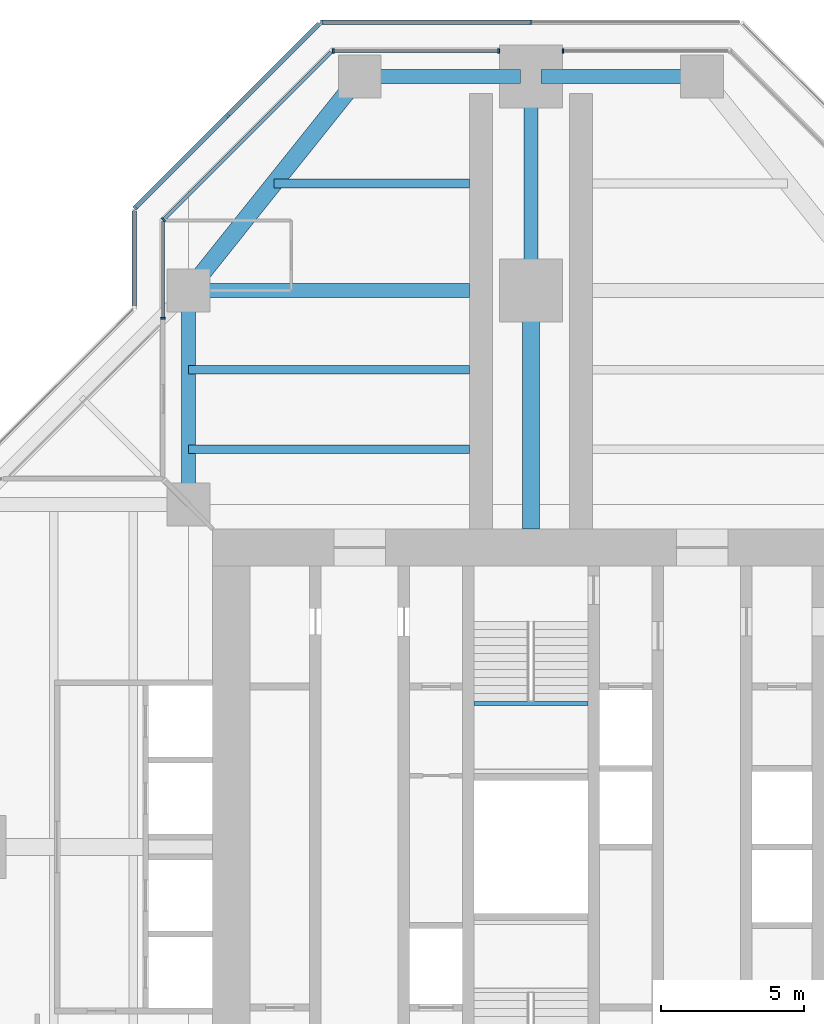
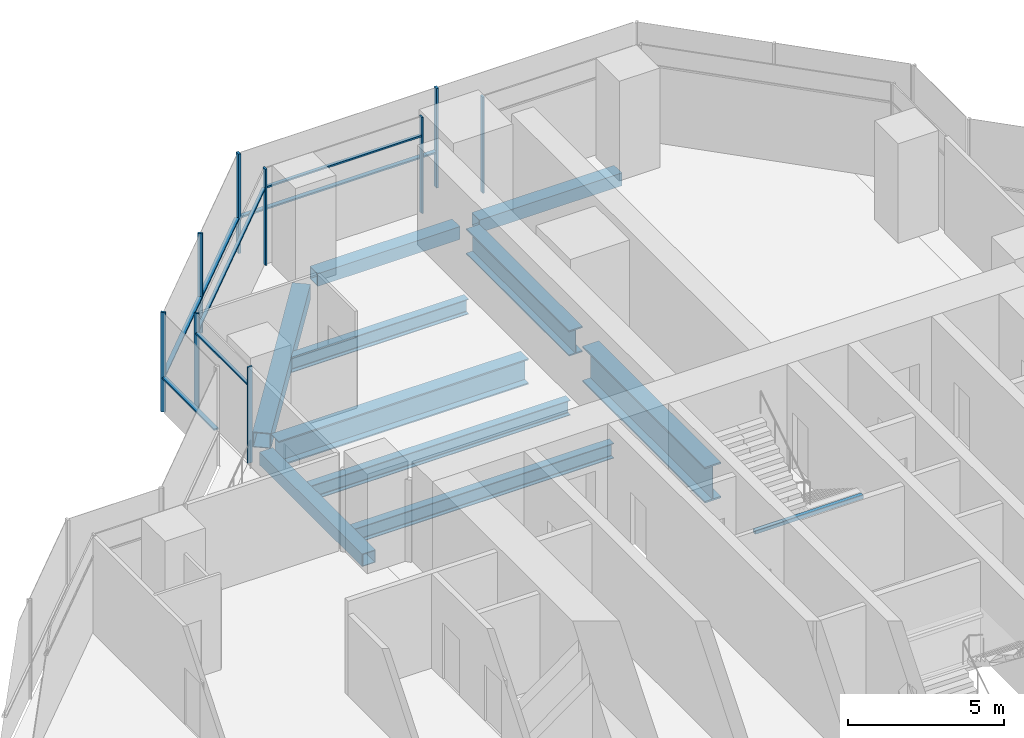
# One storey, part 7 of 17: 16 members, 11 beams, 7 elements without a shape of their own.
"""IFC4 building model written with IfcOpenShell, lengths in metres."""

from ifc_helpers import new_model, si_unit, direction, frame, origin, origin_2d, place, context, subcontext, project, spatial, rectangle, hollow_rectangle, i_section, extrude, material, material_profile, profile_set, type_object, element, aggregate, save


model = new_model("IFC4")

# Units and contexts
model_context = context("Model", 3, precision=1e-05, world=origin(), true_north=direction((0.0, 1.0)))
body_context = subcontext(model_context, "Body", "Model", "MODEL_VIEW")
ifc_project = project(units=[si_unit("LENGTHUNIT", "METRE"), si_unit("AREAUNIT", "SQUARE_METRE"), si_unit("VOLUMEUNIT", "CUBIC_METRE"), si_unit("PLANEANGLEUNIT", "RADIAN"), si_unit("MASSUNIT", "GRAM", prefix="KILO")], contexts=[model_context])

# Site, building, storey
site_placement = place(None, origin())
site = spatial("IfcSite", under=ifc_project, at=site_placement, CompositionType="ELEMENT")
building_placement = place(site_placement, origin())
building = spatial("IfcBuilding", under=site, at=building_placement, Name="Mizan Broadcast Tower", CompositionType="ELEMENT")
storey_placement = place(building_placement, frame((0.0, 0.0, 240.0)))
storey = spatial("IfcBuildingStorey", under=building, at=storey_placement, Name="L56", CompositionType="ELEMENT", Elevation=240.0)

# Beams
ifc_material_1 = material(Name="Steel S355", Category="steel")
ifc_material_profile_1 = material_profile(ifc_material_1, hollow_rectangle(XDim=0.5, YDim=0.5, WallThickness=0.030029296875, at=origin_2d()), Name="BOX 500x500x30")
ifc_profile_set_1 = profile_set([ifc_material_profile_1], Name="Steel S355")
beam_type_1 = type_object("IfcBeamType", Name="EDGE BEAM BOX 500x500x30", PredefinedType="SPANDREL", material=ifc_profile_set_1)
beam_1_placement = place(storey_placement, frame((5.639892578125, 27.0, -0.3798828125), z_axis=(-1.0, 0.0, 0.0), x_axis=(0.0, -1.0, 0.0)))
element("IfcBeam", 1, at=beam_1_placement, inside=storey, type_object=beam_type_1, Name="Edge beam BOX 500x500x30 L56 north arm", PredefinedType="SPANDREL", context=body_context, shape_type="SweptSolid", body=[
    extrude(hollow_rectangle(XDim=0.5, YDim=0.5, WallThickness=0.030029296875, at=origin_2d()), origin(), (0.0, 0.0, 1.0), 5.27978515625),
])
beam_2_placement = place(storey_placement, frame((-12.0, 12.449951171875, -0.3798828125), z_axis=(0.0, 1.0, 0.0), x_axis=(-1.0, 0.0, 0.0)))
element("IfcBeam", 2, at=beam_2_placement, inside=storey, type_object=beam_type_1, Name="Edge beam BOX 500x500x30 L56 north arm", PredefinedType="SPANDREL", context=body_context, shape_type="SweptSolid", body=[
    extrude(hollow_rectangle(XDim=0.5, YDim=0.5, WallThickness=0.030029296875, at=origin_2d()), origin(), (0.0, 0.0, 1.0), 6.60009765625),
])
beam_3_placement = place(storey_placement, frame((-5.639892578125, 27.0, -0.3798828125), z_axis=(1.0, 0.0, 0.0), x_axis=(0.0, 1.0, 0.0)))
element("IfcBeam", 3, at=beam_3_placement, inside=storey, type_object=beam_type_1, Name="Edge beam BOX 500x500x30 L56 north arm", PredefinedType="SPANDREL", context=body_context, shape_type="SweptSolid", body=[
    extrude(hollow_rectangle(XDim=0.5, YDim=0.5, WallThickness=0.030029296875, at=origin_2d()), origin(), (0.0, 0.0, 1.0), 5.27978515625),
])
ifc_material_2 = material(Name="Steel S355", Category="steel")
ifc_material_profile_2 = material_profile(ifc_material_2, hollow_rectangle(XDim=0.60009765625, YDim=0.60009765625, WallThickness=0.030029296875, at=origin_2d()), Name="BOX 600x600x30")
ifc_profile_set_2 = profile_set([ifc_material_profile_2], Name="Steel S355")
beam_type_2 = type_object("IfcBeamType", Name="EDGE BEAM BOX 600x600x30", PredefinedType="SPANDREL", material=ifc_profile_set_2)
beam_4_placement = place(storey_placement, frame((-11.639892578125, 19.949951171875, -0.429931640625), z_axis=(0.624673911726, 0.780885717636, 0.0), x_axis=(-0.780885717636, 0.624673911726, 0.0)))
element("IfcBeam", 4, at=beam_4_placement, inside=storey, type_object=beam_type_2, Name="Edge beam BOX 600x600x30 L56 north arm", PredefinedType="SPANDREL", context=body_context, shape_type="SweptSolid", body=[
    extrude(hollow_rectangle(XDim=0.60009765625, YDim=0.60009765625, WallThickness=0.030029296875, at=origin_2d()), origin(), (0.0, 0.0, 1.0), 8.4521484375),
])
ifc_material_3 = material(Name="Steel S460", Category="steel")
ifc_material_profile_3 = material_profile(ifc_material_3, i_section(OverallWidth=0.5, OverallDepth=1.0, WebThickness=0.02490234375, FlangeThickness=0.050048828125, at=origin_2d()), Name="WPG 1000x500")
ifc_profile_set_3 = profile_set([ifc_material_profile_3], Name="Steel S460")
beam_type_3 = type_object("IfcBeamType", Name="GIRDER WPG 1000x500", PredefinedType="BEAM", material=ifc_profile_set_3)
beam_5_placement = place(storey_placement, frame((0.0, 19.949951171875, -0.6298828125), z_axis=(0.0, 1.0, 0.0), x_axis=(-1.0, 0.0, 0.0)))
element("IfcBeam", 5, at=beam_5_placement, inside=storey, type_object=beam_type_3, Name="Girder WPG 1000x500 L56 north arm", PredefinedType="BEAM", context=body_context, shape_type="SweptSolid", body=[
    extrude(i_section(OverallWidth=0.5, OverallDepth=1.0, WebThickness=0.02490234375, FlangeThickness=0.050048828125, at=origin_2d()), origin(), (0.0, 0.0, 1.0), 6.60009765625),
])
beam_6_placement = place(storey_placement, frame((-11.408935546875, 19.5, -0.6298828125), z_axis=(1.0, 0.0, 0.0), x_axis=(0.0, 1.0, 0.0)))
element("IfcBeam", 6, at=beam_6_placement, inside=storey, type_object=beam_type_3, Name="Girder WPG 1000x500 L56 north arm", PredefinedType="BEAM", context=body_context, shape_type="SweptSolid", body=[
    extrude(i_section(OverallWidth=0.5, OverallDepth=1.0, WebThickness=0.02490234375, FlangeThickness=0.050048828125, at=origin_2d()), origin(), (0.0, 0.0, 1.0), 9.259033203125),
])
ifc_material_4 = material(Name="Steel S460", Category="steel")
ifc_material_profile_4 = material_profile(ifc_material_4, i_section(OverallWidth=0.60009765625, OverallDepth=1.39990234375, WebThickness=0.02490234375, FlangeThickness=0.06005859375, at=origin_2d()), Name="WPG 1400x600")
ifc_profile_set_4 = profile_set([ifc_material_profile_4], Name="Steel S460")
beam_type_4 = type_object("IfcBeamType", Name="GIRDER WPG 1400x600", PredefinedType="BEAM", material=ifc_profile_set_4)
beam_7_placement = place(storey_placement, frame((0.0, 11.14990234375, -0.830078125), z_axis=(0.0, 1.0, 0.0), x_axis=(-1.0, 0.0, 0.0)))
element("IfcBeam", 7, at=beam_7_placement, inside=storey, type_object=beam_type_4, Name="Girder WPG 1400x600 L56 north arm", PredefinedType="BEAM", context=body_context, shape_type="SweptSolid", body=[
    extrude(i_section(OverallWidth=0.60009765625, OverallDepth=1.39990234375, WebThickness=0.02490234375, FlangeThickness=0.06005859375, at=origin_2d()), origin(), (0.0, 0.0, 1.0), 7.84912109375),
])

# Curtain wall, member
ifc_material_5 = material(Name="Aluminium framed glazing", Category="aluminium")
curtain_wall_type_1 = type_object("IfcCurtainWallType", Name="INNER SKIN HIGH ZONE", PredefinedType="USERDEFINED", material=ifc_material_5)
curtain_wall_1_placement = place(storey_placement, origin())
curtain_wall_1 = element("IfcCurtainWall", 8, at=curtain_wall_1_placement, inside=storey, type_object=curtain_wall_type_1, Name="Inner skin high zone L56 N end", ObjectType="INNER SKIN HIGH ZONE", PredefinedType="USERDEFINED")
ifc_material_6 = material(Name="Aluminium, pale anodised", Category="aluminium")
ifc_material_profile_5 = material_profile(ifc_material_6, rectangle(XDim=0.159912109375, YDim=0.06005859375, at=origin_2d()), Name="MULLION 160x60")
ifc_profile_set_5 = profile_set([ifc_material_profile_5], Name="Aluminium, pale anodised")
member_type_1 = type_object("IfcMemberType", Name="INNER SKIN MULLION 60x160", PredefinedType="MULLION", material=ifc_profile_set_5)
member_1_placement = place(storey_placement, frame((1.1298828125, 27.89990234375, 0.0), z_axis=(0.0, 0.0, 1.0), x_axis=(0.0, -1.0, 0.0)))
member_1 = element("IfcMember", 9, at=member_1_placement, type_object=member_type_1, Name="Inner skin high zone L56 N end mullion 2", PredefinedType="MULLION", context=body_context, shape_type="SweptSolid", body=[
    extrude(rectangle(XDim=0.159912109375, YDim=0.06005859375, at=origin_2d()), origin(), (0.0, 0.0, 1.0), 3.77001953125),
])
aggregate(curtain_wall_1, [member_1])

# Curtain wall, members
curtain_wall_2_placement = place(storey_placement, origin())
curtain_wall_2 = element("IfcCurtainWall", 10, at=curtain_wall_2_placement, inside=storey, type_object=curtain_wall_type_1, Name="Inner skin high zone L56 N end", ObjectType="INNER SKIN HIGH ZONE", PredefinedType="USERDEFINED")
member_2_placement = place(storey_placement, frame((-1.1298828125, 27.89990234375, 0.0), z_axis=(0.0, 0.0, 1.0), x_axis=(0.0, -1.0, 0.0)))
member_2 = element("IfcMember", 11, at=member_2_placement, type_object=member_type_1, Name="Inner skin high zone L56 N end mullion 1", PredefinedType="MULLION", context=body_context, shape_type="SweptSolid", body=[
    extrude(rectangle(XDim=0.159912109375, YDim=0.06005859375, at=origin_2d()), origin(), (0.0, 0.0, 1.0), 3.77001953125),
])
member_3_placement = place(storey_placement, frame((-6.928466796875, 27.89990234375, 0.0), z_axis=(0.0, 0.0, 1.0), x_axis=(0.0, -1.0, 0.0)))
member_3 = element("IfcMember", 12, at=member_3_placement, type_object=member_type_1, Name="Inner skin high zone L56 N end mullion 2", PredefinedType="MULLION", context=body_context, shape_type="SweptSolid", body=[
    extrude(rectangle(XDim=0.159912109375, YDim=0.06005859375, at=origin_2d()), origin(), (0.0, 0.0, 1.0), 3.77001953125),
])

# Curtain wall, member
curtain_wall_3_placement = place(storey_placement, origin())
curtain_wall_3 = element("IfcCurtainWall", 13, at=curtain_wall_3_placement, inside=storey, type_object=curtain_wall_type_1, Name="Inner skin high zone L56 N chamfer", ObjectType="INNER SKIN HIGH ZONE", PredefinedType="USERDEFINED")
member_4_placement = place(storey_placement, frame((-12.87890625, 21.979736328125, 0.0), z_axis=(0.0, 0.0, 1.0), x_axis=(0.707106781187, -0.707106781187, 0.0)))
member_4 = element("IfcMember", 14, at=member_4_placement, type_object=member_type_1, Name="Inner skin high zone L56 N chamfer mullion 2", PredefinedType="MULLION", context=body_context, shape_type="SweptSolid", body=[
    extrude(rectangle(XDim=0.159912109375, YDim=0.06005859375, at=origin_2d()), origin(), (0.0, 0.0, 1.0), 3.77001953125),
])

curtain_wall_4_placement = place(storey_placement, origin())
curtain_wall_4 = element("IfcCurtainWall", 15, at=curtain_wall_4_placement, inside=storey, type_object=curtain_wall_type_1, Name="Inner skin high zone L56 N side", ObjectType="INNER SKIN HIGH ZONE", PredefinedType="USERDEFINED")
member_5_placement = place(storey_placement, frame((-12.89990234375, 18.530029296875, 0.0), z_axis=(0.0, 0.0, 1.0), x_axis=(1.0, 0.0, 0.0)))
member_5 = element("IfcMember", 16, at=member_5_placement, type_object=member_type_1, Name="Inner skin high zone L56 N side mullion 2", PredefinedType="MULLION", context=body_context, shape_type="SweptSolid", body=[
    extrude(rectangle(XDim=0.159912109375, YDim=0.06005859375, at=origin_2d()), origin(), (0.0, 0.0, 1.0), 3.77001953125),
])

# Member
ifc_material_7 = material(Name="Aluminium, pale anodised", Category="aluminium")
ifc_material_profile_6 = material_profile(ifc_material_7, rectangle(XDim=0.1201171875, YDim=0.06005859375, at=origin_2d()), Name="TRANSOM 120x60")
ifc_profile_set_6 = profile_set([ifc_material_profile_6], Name="Aluminium, pale anodised")
member_type_2 = type_object("IfcMemberType", Name="INNER SKIN TRANSOM 60x120", PredefinedType="USERDEFINED", material=ifc_profile_set_6)
member_6_placement = place(storey_placement, frame((-1.159912109375, 27.89990234375, 3.030029296875), z_axis=(-1.0, 0.0, 0.0), x_axis=(0.0, -1.0, 0.0)))
member_6 = element("IfcMember", 17, at=member_6_placement, type_object=member_type_2, Name="Inner skin high zone L56 N end transom 1.1", ObjectType="TRANSOM", PredefinedType="USERDEFINED", context=body_context, shape_type="SweptSolid", body=[
    extrude(rectangle(XDim=0.1201171875, YDim=0.06005859375, at=origin_2d()), origin(), (0.0, 0.0, 1.0), 5.73876953125),
])

aggregate(curtain_wall_2, [member_2, member_3, member_6])

member_7_placement = place(storey_placement, frame((-7.0009765625, 27.857666015625, 3.030029296875), z_axis=(-0.707106781187, -0.707106781187, 0.0), x_axis=(0.707106781187, -0.707106781187, 0.0)))
member_7 = element("IfcMember", 18, at=member_7_placement, type_object=member_type_2, Name="Inner skin high zone L56 N chamfer transom 1.1", ObjectType="TRANSOM", PredefinedType="USERDEFINED", context=body_context, shape_type="SweptSolid", body=[
    extrude(rectangle(XDim=0.1201171875, YDim=0.06005859375, at=origin_2d()), origin(), (0.0, 0.0, 1.0), 8.28271484375),
])

aggregate(curtain_wall_3, [member_4, member_7])

member_8_placement = place(storey_placement, frame((-12.89990234375, 21.898681640625, 3.030029296875), z_axis=(0.0, -1.0, 0.0), x_axis=(1.0, 0.0, 0.0)))
member_8 = element("IfcMember", 19, at=member_8_placement, type_object=member_type_2, Name="Inner skin high zone L56 N side transom 1.1", ObjectType="TRANSOM", PredefinedType="USERDEFINED", context=body_context, shape_type="SweptSolid", body=[
    extrude(rectangle(XDim=0.1201171875, YDim=0.06005859375, at=origin_2d()), origin(), (0.0, 0.0, 1.0), 3.338623046875),
])

aggregate(curtain_wall_4, [member_5, member_8])

# Beam
ifc_material_8 = material(Name="Steel S355", Category="steel")
ifc_material_profile_7 = material_profile(ifc_material_8, hollow_rectangle(XDim=0.14990234375, YDim=0.14990234375, WallThickness=0.008056640625, InnerFilletRadius=0.008056640625, OuterFilletRadius=0.011962890625, at=origin_2d()), Name="SHS 150x150x8")
ifc_profile_set_7 = profile_set([ifc_material_profile_7], Name="Steel S355")
beam_type_5 = type_object("IfcBeamType", Name="LANDING TRIMMER SHS 150x150x8", PredefinedType="BEAM", material=ifc_profile_set_7)
beam_8_placement = place(storey_placement, frame((2.0, 5.02490234375, 1.675048828125), z_axis=(-1.0, 0.0, 0.0), x_axis=(0.0, -1.0, 0.0)))
element("IfcBeam", 20, at=beam_8_placement, inside=storey, type_object=beam_type_5, Name="Stair B landing trimmer L56", PredefinedType="BEAM", context=body_context, shape_type="SweptSolid", body=[
    extrude(hollow_rectangle(XDim=0.14990234375, YDim=0.14990234375, WallThickness=0.008056640625, InnerFilletRadius=0.008056640625, OuterFilletRadius=0.011962890625, at=origin_2d()), origin(), (0.0, 0.0, 1.0), 4.0),
])

# Curtain wall, members
ifc_material_9 = material(Name="Aluminium framed glazing", Category="aluminium")
curtain_wall_type_2 = type_object("IfcCurtainWallType", Name="OUTER SKIN", PredefinedType="USERDEFINED", material=ifc_material_9)
curtain_wall_5_placement = place(storey_placement, origin())
curtain_wall_5 = element("IfcCurtainWall", 21, at=curtain_wall_5_placement, inside=storey, type_object=curtain_wall_type_2, Name="Outer skin L56 N end", ObjectType="OUTER SKIN", PredefinedType="USERDEFINED")
ifc_material_10 = material(Name="Aluminium, pale anodised", Category="aluminium")
ifc_material_profile_8 = material_profile(ifc_material_10, rectangle(XDim=0.159912109375, YDim=0.080078125, at=origin_2d()), Name="MULLION 160x80")
ifc_profile_set_8 = profile_set([ifc_material_profile_8], Name="Aluminium, pale anodised")
member_type_3 = type_object("IfcMemberType", Name="OUTER SKIN MULLION 80x160", PredefinedType="MULLION", material=ifc_profile_set_8)
member_9_placement = place(storey_placement, frame((0.0, 28.89990234375, 0.0), z_axis=(0.0, 0.0, 1.0), x_axis=(0.0, -1.0, 0.0)))
member_9 = element("IfcMember", 22, at=member_9_placement, type_object=member_type_3, Name="Outer skin L56 N end mullion 2", PredefinedType="MULLION", context=body_context, shape_type="SweptSolid", body=[
    extrude(rectangle(XDim=0.159912109375, YDim=0.080078125, at=origin_2d()), origin(), (0.0, 0.0, 1.0), 3.89990234375),
])
member_10_placement = place(storey_placement, frame((-7.332763671875, 28.89990234375, 0.0), z_axis=(0.0, 0.0, 1.0), x_axis=(0.0, -1.0, 0.0)))
member_10 = element("IfcMember", 23, at=member_10_placement, type_object=member_type_3, Name="Outer skin L56 N end mullion 3", PredefinedType="MULLION", context=body_context, shape_type="SweptSolid", body=[
    extrude(rectangle(XDim=0.159912109375, YDim=0.080078125, at=origin_2d()), origin(), (0.0, 0.0, 1.0), 3.89990234375),
])

curtain_wall_6_placement = place(storey_placement, origin())
curtain_wall_6 = element("IfcCurtainWall", 24, at=curtain_wall_6_placement, inside=storey, type_object=curtain_wall_type_2, Name="Outer skin L56 N chamfer", ObjectType="OUTER SKIN", PredefinedType="USERDEFINED")
member_11_placement = place(storey_placement, frame((-10.636474609375, 25.636474609375, 0.0), z_axis=(0.0, 0.0, 1.0), x_axis=(0.707106781187, -0.707106781187, 0.0)))
member_11 = element("IfcMember", 25, at=member_11_placement, type_object=member_type_3, Name="Outer skin L56 N chamfer mullion 2", PredefinedType="MULLION", context=body_context, shape_type="SweptSolid", body=[
    extrude(rectangle(XDim=0.159912109375, YDim=0.080078125, at=origin_2d()), origin(), (0.0, 0.0, 1.0), 3.89990234375),
])
member_12_placement = place(storey_placement, frame((-13.871826171875, 22.401123046875, 0.0), z_axis=(0.0, 0.0, 1.0), x_axis=(0.707106781187, -0.707106781187, 0.0)))
member_12 = element("IfcMember", 26, at=member_12_placement, type_object=member_type_3, Name="Outer skin L56 N chamfer mullion 3", PredefinedType="MULLION", context=body_context, shape_type="SweptSolid", body=[
    extrude(rectangle(XDim=0.159912109375, YDim=0.080078125, at=origin_2d()), origin(), (0.0, 0.0, 1.0), 3.89990234375),
])

# Member
ifc_material_11 = material(Name="Aluminium, pale anodised", Category="aluminium")
ifc_material_profile_9 = material_profile(ifc_material_11, rectangle(XDim=0.159912109375, YDim=0.06005859375, at=origin_2d()), Name="TRANSOM 160x60")
ifc_profile_set_9 = profile_set([ifc_material_profile_9], Name="Aluminium, pale anodised")
member_type_4 = type_object("IfcMemberType", Name="OUTER SKIN TRANSOM 60x160", PredefinedType="USERDEFINED", material=ifc_profile_set_9)
member_13_placement = place(storey_placement, frame((-0.0400390625, 28.89990234375, 1.39990234375), z_axis=(-1.0, 0.0, 0.0), x_axis=(0.0, -1.0, 0.0)))
member_13 = element("IfcMember", 27, at=member_13_placement, type_object=member_type_4, Name="Outer skin L56 N end transom 2.1", ObjectType="TRANSOM", PredefinedType="USERDEFINED", context=body_context, shape_type="SweptSolid", body=[
    extrude(rectangle(XDim=0.159912109375, YDim=0.06005859375, at=origin_2d()), origin(), (0.0, 0.0, 1.0), 7.252685546875),
])

aggregate(curtain_wall_5, [member_9, member_10, member_13])

member_14_placement = place(storey_placement, frame((-7.429443359375, 28.843505859375, 1.39990234375), z_axis=(-0.707106781187, -0.707106781187, 0.0), x_axis=(0.707106781187, -0.707106781187, 0.0)))
member_14 = element("IfcMember", 28, at=member_14_placement, type_object=member_type_4, Name="Outer skin L56 N chamfer transom 1.1", ObjectType="TRANSOM", PredefinedType="USERDEFINED", context=body_context, shape_type="SweptSolid", body=[
    extrude(rectangle(XDim=0.159912109375, YDim=0.06005859375, at=origin_2d()), origin(), (0.0, 0.0, 1.0), 4.495361328125),
])

member_15_placement = place(storey_placement, frame((-10.664794921875, 25.608154296875, 1.39990234375), z_axis=(-0.707106781187, -0.707106781187, 0.0), x_axis=(0.707106781187, -0.707106781187, 0.0)))
member_15 = element("IfcMember", 29, at=member_15_placement, type_object=member_type_4, Name="Outer skin L56 N chamfer transom 2.1", ObjectType="TRANSOM", PredefinedType="USERDEFINED", context=body_context, shape_type="SweptSolid", body=[
    extrude(rectangle(XDim=0.159912109375, YDim=0.06005859375, at=origin_2d()), origin(), (0.0, 0.0, 1.0), 4.495361328125),
])

aggregate(curtain_wall_6, [member_11, member_12, member_14, member_15])

# Curtain wall, member
curtain_wall_7_placement = place(storey_placement, origin())
curtain_wall_7 = element("IfcCurtainWall", 30, at=curtain_wall_7_placement, inside=storey, type_object=curtain_wall_type_2, Name="Outer skin L56 N side", ObjectType="OUTER SKIN", PredefinedType="USERDEFINED")
member_16_placement = place(storey_placement, frame((-13.89990234375, 22.292724609375, 1.39990234375), z_axis=(0.0, -1.0, 0.0), x_axis=(1.0, 0.0, 0.0)))
member_16 = element("IfcMember", 31, at=member_16_placement, type_object=member_type_4, Name="Outer skin L56 N side transom 1.1", ObjectType="TRANSOM", PredefinedType="USERDEFINED", context=body_context, shape_type="SweptSolid", body=[
    extrude(rectangle(XDim=0.159912109375, YDim=0.06005859375, at=origin_2d()), origin(), (0.0, 0.0, 1.0), 3.33984375),
])
aggregate(curtain_wall_7, [member_16])

# Beams
ifc_material_12 = material(Name="Steel S355", Category="steel")
ifc_material_profile_10 = material_profile(ifc_material_12, i_section(OverallWidth=0.300048828125, OverallDepth=0.590087890625, WebThickness=0.012939453125, FlangeThickness=0.02490234375, FilletRadius=0.027099609375, at=origin_2d()), Name="HEA 600")
ifc_profile_set_10 = profile_set([ifc_material_profile_10], Name="Steel S355")
beam_type_6 = type_object("IfcBeamType", Name="SECONDARY BEAM HEA 600", PredefinedType="JOIST", material=ifc_profile_set_10)
for number, where, z_axis, x_axis, name in (
    (32, (-12.0, 13.933349609375, -0.425048828125), (1.0, 0.0, 0.0), (0.0, 1.0, 0.0), "Secondary beam HEA 600 L56 north arm"),
    (33, (-12.0, 16.716552734375, -0.425048828125), (1.0, 0.0, 0.0), (0.0, 1.0, 0.0), "Secondary beam HEA 600 L56 north arm"),
):
    element("IfcBeam", number, at=place(storey_placement, frame(where, z_axis=z_axis, x_axis=x_axis)), inside=storey, type_object=beam_type_6, Name=name, PredefinedType="JOIST", context=body_context, shape_type="SweptSolid", body=[
        extrude(i_section(OverallWidth=0.300048828125, OverallDepth=0.590087890625, WebThickness=0.012939453125, FlangeThickness=0.02490234375, FilletRadius=0.027099609375, at=origin_2d()), origin(), (0.0, 0.0, 1.0), 9.85009765625),
    ])
beam_9_placement = place(storey_placement, frame((-9.0, 23.25, -0.425048828125), z_axis=(1.0, 0.0, 0.0), x_axis=(0.0, 1.0, 0.0)))
element("IfcBeam", 34, at=beam_9_placement, inside=storey, type_object=beam_type_6, Name="Secondary beam HEA 600 L56 north arm", PredefinedType="JOIST", context=body_context, shape_type="SweptSolid", body=[
    extrude(i_section(OverallWidth=0.300048828125, OverallDepth=0.590087890625, WebThickness=0.012939453125, FlangeThickness=0.02490234375, FilletRadius=0.027099609375, at=origin_2d()), origin(), (0.0, 0.0, 1.0), 6.85009765625),
])

save(model, "model.ifc")
